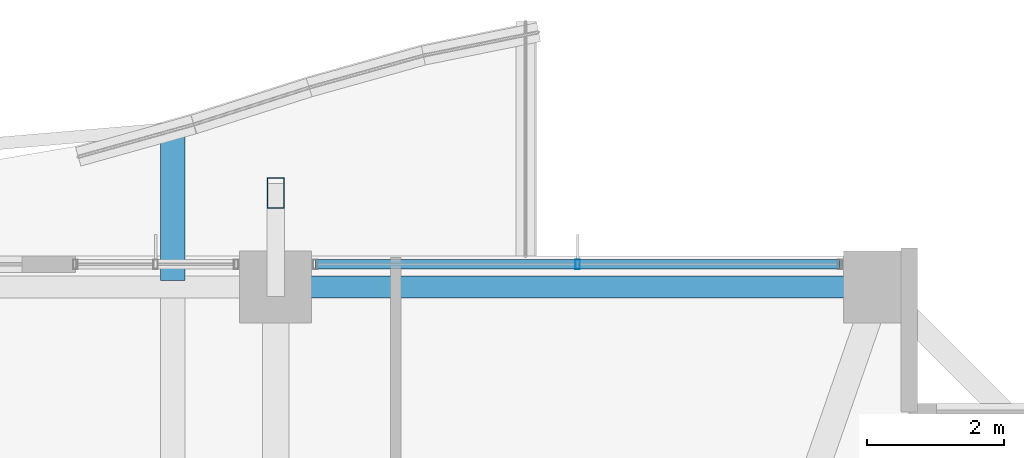
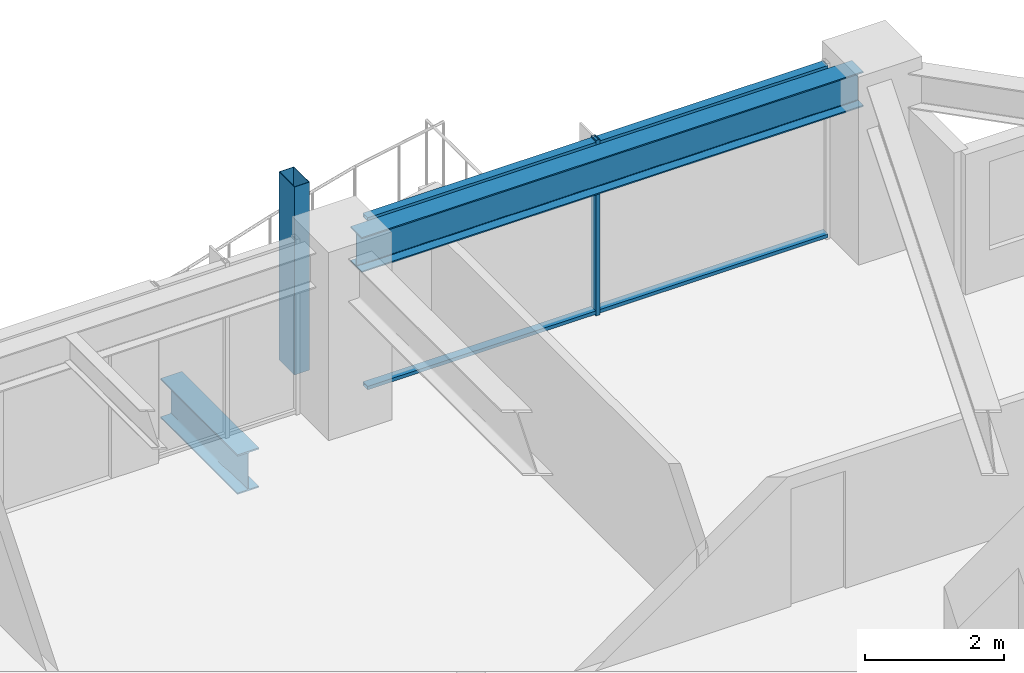
# One storey, part 23 of 38: 4 members, 2 beams, 1 element without a shape of its own.
"""IFC4 building model written with IfcOpenShell, lengths in metres."""

from ifc_helpers import new_model, si_unit, direction, frame, origin, origin_2d, place, context, subcontext, project, spatial, hollow_rectangle, i_section, extrude, material, material_profile, profile_set, type_object, element, aggregate, save


model = new_model("IFC4")

# Units and contexts
model_context = context("Model", 3, precision=1e-05, world=origin(), true_north=direction((0.0, 1.0)))
body_context = subcontext(model_context, "Body", "Model", "MODEL_VIEW")
ifc_project = project(units=[si_unit("LENGTHUNIT", "METRE"), si_unit("AREAUNIT", "SQUARE_METRE"), si_unit("VOLUMEUNIT", "CUBIC_METRE"), si_unit("PLANEANGLEUNIT", "RADIAN"), si_unit("MASSUNIT", "GRAM", prefix="KILO")], contexts=[model_context])

# Site, building, storey
site_placement = place(None, origin())
site = spatial("IfcSite", under=ifc_project, at=site_placement, CompositionType="ELEMENT")
building_placement = place(site_placement, origin())
building = spatial("IfcBuilding", under=site, at=building_placement, Name="Kolvaren Belvedere", CompositionType="ELEMENT")
storey_placement = place(building_placement, frame((0.0, 0.0, 78.800048828125)))
storey = spatial("IfcBuildingStorey", under=building, at=storey_placement, Name="L22", CompositionType="ELEMENT", Elevation=78.800048828125)

# Beams
ifc_material_1 = material(Name="Structural steel ASTM A992 Grade 50", Category="steel")
ifc_material_profile_1 = material_profile(ifc_material_1, i_section(OverallWidth=0.35498046875, OverallDepth=0.696044921875, WebThickness=0.015380859375, FlangeThickness=0.02490234375, FilletRadius=0.02197265625, at=origin_2d()), Name="W27X146")
ifc_profile_set_1 = profile_set([ifc_material_profile_1], Name="Structural steel ASTM A992 Grade 50")
beam_type_1 = type_object("IfcBeamType", Name="BM-CANT-BAL", PredefinedType="BEAM", material=ifc_profile_set_1)
beam_1_placement = place(storey_placement, frame((3.10009765625, 20.044921875, -0.568115234375), z_axis=(0.0, 1.0, 0.0), x_axis=(-1.0, 0.0, 0.0)))
element("IfcBeam", 1, at=beam_1_placement, inside=storey, type_object=beam_type_1, Name="L22 Planted Balcony Cantilever BAL-N-2", PredefinedType="BEAM", context=body_context, shape_type="SweptSolid", body=[
    extrude(i_section(OverallWidth=0.35498046875, OverallDepth=0.696044921875, WebThickness=0.015380859375, FlangeThickness=0.02490234375, FilletRadius=0.02197265625, at=origin_2d()), origin(), (0.0, 0.0, 1.0), 2.213623046875),
])
ifc_material_2 = material(Name="Structural steel ASTM A992 Grade 50", Category="steel")
ifc_material_profile_2 = material_profile(ifc_material_2, i_section(OverallWidth=0.324951171875, OverallDepth=0.615966796875, WebThickness=0.013916015625, FlangeThickness=0.021484375, FilletRadius=0.02001953125, at=origin_2d()), Name="W24X117")
ifc_profile_set_2 = profile_set([ifc_material_profile_2], Name="Structural steel ASTM A992 Grade 50")
beam_type_2 = type_object("IfcBeamType", Name="BM-SPAN-W24X117", PredefinedType="SPANDREL", material=ifc_profile_set_2)
beam_2_placement = place(storey_placement, frame((13.163818359375, 19.949951171875, 2.77197265625), z_axis=(-1.0, 0.0, 0.0), x_axis=(0.0, -1.0, 0.0)))
element("IfcBeam", 2, at=beam_2_placement, inside=storey, type_object=beam_type_2, Name="L22 Perimeter Spandrel N4-N3", PredefinedType="SPANDREL", context=body_context, shape_type="SweptSolid", body=[
    extrude(i_section(OverallWidth=0.324951171875, OverallDepth=0.615966796875, WebThickness=0.013916015625, FlangeThickness=0.021484375, FilletRadius=0.02001953125, at=origin_2d()), origin(), (0.0, 0.0, 1.0), 8.32763671875),
])

# Curtain wall, members
ifc_material_3 = material(Name="Anodised pale-metal aluminium AA 6063-T6", Category="aluminium")
curtain_wall_type = type_object("IfcCurtainWallType", Name="CW-Z2-MID", PredefinedType="NOTDEFINED", material=ifc_material_3)
curtain_wall_placement = place(storey_placement, origin())
curtain_wall = element("IfcCurtainWall", 3, at=curtain_wall_placement, inside=storey, type_object=curtain_wall_type, Name="L22 Unitised Curtain Wall FCW-L22-N2-B2", PredefinedType="NOTDEFINED")
ifc_material_4 = material(Name="Anodised pale-metal aluminium AA 6063-T6", Category="aluminium")
ifc_material_profile_3 = material_profile(ifc_material_4, hollow_rectangle(XDim=0.06494140625, YDim=0.139892578125, WallThickness=0.00390625, at=origin_2d()), Name="ALU-MUL-140X65")
ifc_profile_set_3 = profile_set([ifc_material_profile_3], Name="Anodised pale-metal aluminium AA 6063-T6")
member_type_1 = type_object("IfcMemberType", Name="CW-MUL-140", PredefinedType="MULLION", material=ifc_profile_set_3)
member_1_placement = place(storey_placement, frame((9.0, 20.280029296875, 0.0), z_axis=(0.0, 0.0, 1.0), x_axis=(1.0, 0.0, 0.0)))
member_1 = element("IfcMember", 4, at=member_1_placement, type_object=member_type_1, Name="FCW-L22-N2-B2 Unitised Mullion 2", PredefinedType="MULLION", context=body_context, shape_type="SweptSolid", body=[
    extrude(hollow_rectangle(XDim=0.06494140625, YDim=0.139892578125, WallThickness=0.00390625, at=origin_2d()), origin(), (0.0, 0.0, 1.0), 3.079833984375),
])
ifc_material_5 = material(Name="Anodised pale-metal aluminium AA 6063-T6", Category="aluminium")
ifc_material_profile_4 = material_profile(ifc_material_5, hollow_rectangle(XDim=0.06005859375, YDim=0.139892578125, WallThickness=0.00390625, at=origin_2d()), Name="ALU-TRN-140X60")
ifc_profile_set_4 = profile_set([ifc_material_profile_4], Name="Anodised pale-metal aluminium AA 6063-T6")
member_type_2 = type_object("IfcMemberType", Name="CW-TRN-140", PredefinedType="USERDEFINED", material=ifc_profile_set_4)
member_2_placement = place(storey_placement, frame((5.177490234375, 20.280029296875, 0.06005859375), z_axis=(1.0, 0.0, 0.0), x_axis=(0.0, 0.0, 1.0)))
member_2 = element("IfcMember", 5, at=member_2_placement, type_object=member_type_2, Name="FCW-L22-N2-B2 Sill Transom", ObjectType="TRANSOM", PredefinedType="USERDEFINED", context=body_context, shape_type="SweptSolid", body=[
    extrude(hollow_rectangle(XDim=0.06005859375, YDim=0.139892578125, WallThickness=0.00390625, at=origin_2d()), origin(), (0.0, 0.0, 1.0), 7.64501953125),
])
member_3_placement = place(storey_placement, frame((5.177490234375, 20.280029296875, 3.02001953125), z_axis=(1.0, 0.0, 0.0), x_axis=(0.0, 0.0, 1.0)))
member_3 = element("IfcMember", 6, at=member_3_placement, type_object=member_type_2, Name="FCW-L22-N2-B2 Head Transom", ObjectType="TRANSOM", PredefinedType="USERDEFINED", context=body_context, shape_type="SweptSolid", body=[
    extrude(hollow_rectangle(XDim=0.06005859375, YDim=0.139892578125, WallThickness=0.00390625, at=origin_2d()), origin(), (0.0, 0.0, 1.0), 7.64501953125),
])
aggregate(curtain_wall, [member_1, member_2, member_3])

# Member
ifc_material_6 = material(Name="Anodised pale-metal aluminium AA 6063-T6", Category="aluminium")
ifc_material_profile_5 = material_profile(ifc_material_6, hollow_rectangle(XDim=0.25, YDim=0.449951171875, WallThickness=0.008544921875, at=origin_2d()), Name="ALU-PF-450X250")
ifc_profile_set_5 = profile_set([ifc_material_profile_5], Name="Anodised pale-metal aluminium AA 6063-T6")
member_type_3 = type_object("IfcMemberType", Name="PF-FRAME-450", PredefinedType="USERDEFINED", material=ifc_profile_set_5)
member_4_placement = place(storey_placement, frame((4.60009765625, 21.320068359375, 0.0), z_axis=(0.0, 0.0, 1.0), x_axis=(1.0, 0.0, 0.0)))
element("IfcMember", 7, at=member_4_placement, inside=storey, type_object=member_type_3, Name="L22 Outboard Picture-Frame Vertical N2", ObjectType="PICTURE FRAME FIN", PredefinedType="USERDEFINED", context=body_context, shape_type="SweptSolid", body=[
    extrude(hollow_rectangle(XDim=0.25, YDim=0.449951171875, WallThickness=0.008544921875, at=origin_2d()), origin(), (0.0, 0.0, 1.0), 3.300048828125),
])

save(model, "model.ifc")
